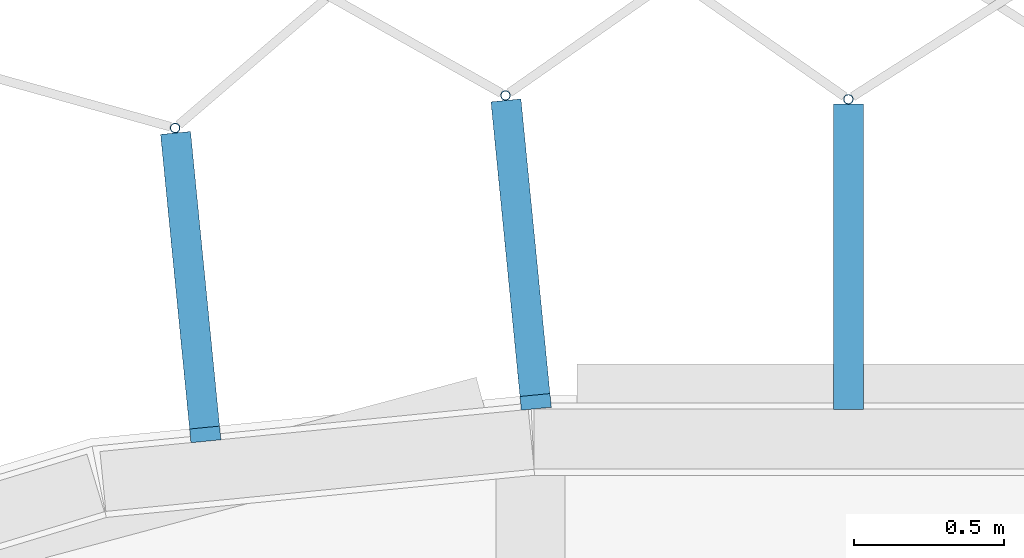
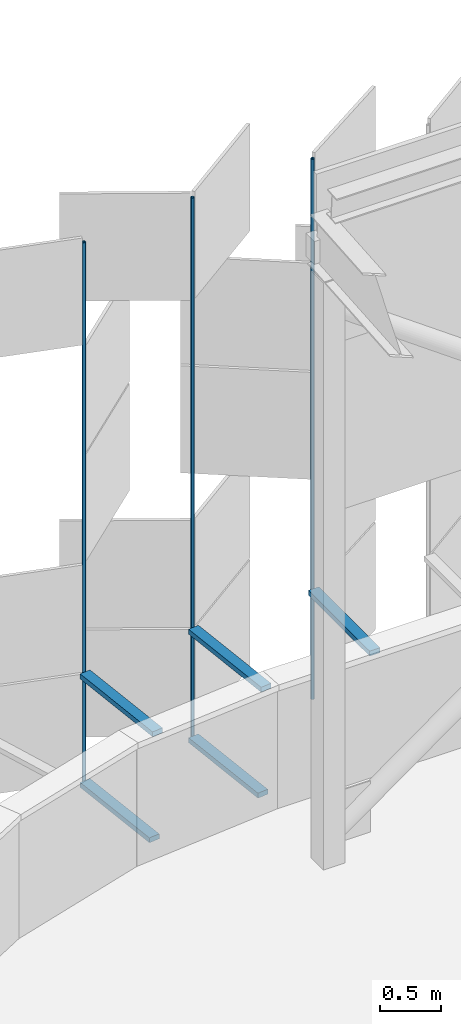
# One storey, part 333 of 483: 8 discrete accessories.
"""IFC4 building model written with IfcOpenShell, lengths in metres."""

from ifc_helpers import new_model, si_unit, direction, frame, origin, origin_2d, place, context, subcontext, project, spatial, rectangle, hollow_circle, extrude, material, material_profile, profile_set, type_object, element, save


model = new_model("IFC4")

# Units and contexts
model_context = context("Model", 3, precision=1e-05, world=origin(), true_north=direction((0.0, 1.0)))
body_context = subcontext(model_context, "Body", "Model", "MODEL_VIEW")
ifc_project = project(units=[si_unit("LENGTHUNIT", "METRE"), si_unit("AREAUNIT", "SQUARE_METRE"), si_unit("VOLUMEUNIT", "CUBIC_METRE"), si_unit("PLANEANGLEUNIT", "RADIAN"), si_unit("MASSUNIT", "GRAM", prefix="KILO")], contexts=[model_context])

# Site, building, storey
site_placement = place(None, origin())
site = spatial("IfcSite", under=ifc_project, at=site_placement, CompositionType="ELEMENT")
building_placement = place(site_placement, origin())
building = spatial("IfcBuilding", under=site, at=building_placement, Name="Parallax Yard Mobility Hub", CompositionType="ELEMENT")
storey_placement = place(building_placement, frame((0.0, 0.0, 13.199951171875)))
storey = spatial("IfcBuildingStorey", under=building, at=storey_placement, Name="L04", CompositionType="ELEMENT", Elevation=13.199951171875)

# Discrete accessories
ifc_material_1 = material(Name="Steel ASTM A36, hot-dip galvanised", Category="steel")
discrete_accessory_type_1 = type_object("IfcDiscreteAccessoryType", Name="Hinge bracket plate 100x50", PredefinedType="BRACKET", material=ifc_material_1)
discrete_accessory_1_placement = place(storey_placement, frame((31.056396484375, 142.96044921875, 1.06982421875), z_axis=(0.0, 0.0, 1.0), x_axis=(0.0, 1.0, 0.0)))
element("IfcDiscreteAccessory", 1, at=discrete_accessory_1_placement, inside=storey, type_object=discrete_accessory_type_1, Name="Hinge bracket plate bay 69.7 level L04", PredefinedType="BRACKET", context=body_context, shape_type="SweptSolid", body=[
    extrude(rectangle(XDim=1.01416015625, YDim=0.10009765625, at=origin_2d()), origin(), (0.0, 0.0, 1.0), 0.050048828125),
])
discrete_accessory_2_placement = place(storey_placement, frame((29.96630859375, 142.990478515625, -0.02490234375), z_axis=(0.0, 0.0, 1.0), x_axis=(-0.09801714033, 0.995184726672, 0.0)))
element("IfcDiscreteAccessory", 2, at=discrete_accessory_2_placement, inside=storey, type_object=discrete_accessory_type_1, Name="Hinge bracket plate bay 70.1 level L04", PredefinedType="BRACKET", context=body_context, shape_type="SweptSolid", body=[
    extrude(rectangle(XDim=0.984130859375, YDim=0.10009765625, at=origin_2d()), origin(), (0.0, 0.0, 1.0), 0.050048828125),
])
discrete_accessory_3_placement = place(storey_placement, frame((29.968505859375, 142.9677734375, 1.06982421875), z_axis=(0.0, 0.0, 1.0), x_axis=(-0.09801714033, 0.995184726672, 0.0)))
element("IfcDiscreteAccessory", 3, at=discrete_accessory_3_placement, inside=storey, type_object=discrete_accessory_type_1, Name="Hinge bracket plate bay 70.1 level L04", PredefinedType="BRACKET", context=body_context, shape_type="SweptSolid", body=[
    extrude(rectangle(XDim=1.030029296875, YDim=0.10009765625, at=origin_2d()), origin(), (0.0, 0.0, 1.0), 0.050048828125),
])
discrete_accessory_4_placement = place(storey_placement, frame((28.867919921875, 142.88232421875, -0.02490234375), z_axis=(0.0, 0.0, 1.0), x_axis=(-0.09801714033, 0.995184726672, 0.0)))
element("IfcDiscreteAccessory", 4, at=discrete_accessory_4_placement, inside=storey, type_object=discrete_accessory_type_1, Name="Hinge bracket plate bay 70.2 level L04", PredefinedType="BRACKET", context=body_context, shape_type="SweptSolid", body=[
    extrude(rectangle(XDim=0.984130859375, YDim=0.10009765625, at=origin_2d()), origin(), (0.0, 0.0, 1.0), 0.050048828125),
])
discrete_accessory_5_placement = place(storey_placement, frame((28.8701171875, 142.859619140625, 1.06982421875), z_axis=(0.0, 0.0, 1.0), x_axis=(-0.09801714033, 0.995184726672, 0.0)))
element("IfcDiscreteAccessory", 5, at=discrete_accessory_5_placement, inside=storey, type_object=discrete_accessory_type_1, Name="Hinge bracket plate bay 70.2 level L04", PredefinedType="BRACKET", context=body_context, shape_type="SweptSolid", body=[
    extrude(rectangle(XDim=1.030029296875, YDim=0.10009765625, at=origin_2d()), origin(), (0.0, 0.0, 1.0), 0.050048828125),
])
ifc_material_2 = material(Name="Steel ASTM A500 Gr C, hot-dip galvanised", Category="steel")
ifc_material_profile = material_profile(ifc_material_2, hollow_circle(Radius=0.016845703125, WallThickness=0.003173828125, at=origin_2d()), Name="CHS 33.7x3.2")
ifc_profile_set = profile_set([ifc_material_profile], Name="Steel ASTM A500 Gr C, hot-dip galvanised")
discrete_accessory_type_2 = type_object("IfcDiscreteAccessoryType", Name="Hinge post CHS 33.7x3.2", PredefinedType="BRACKET", material=ifc_profile_set)
for number, where, z_axis, x_axis, name in (
    (6, (31.056396484375, 143.48388671875, 0.0), (0.0, 0.0, 1.0), (1.0, 0.0, 0.0), "Hinge post bay 69.7 level L04"),
    (7, (29.91650390625, 143.49658203125, 0.0), (0.0, 0.0, 1.0), (1.0, 0.0, 0.0), "Hinge post bay 70.1 level L04"),
    (8, (28.818115234375, 143.388427734375, 0.0), (0.0, 0.0, 1.0), (1.0, 0.0, 0.0), "Hinge post bay 70.2 level L04"),
):
    element("IfcDiscreteAccessory", number, at=place(storey_placement, frame(where, z_axis=z_axis, x_axis=x_axis)), inside=storey, type_object=discrete_accessory_type_2, Name=name, PredefinedType="BRACKET", context=body_context, shape_type="SweptSolid", body=[
        extrude(hollow_circle(Radius=0.016845703125, WallThickness=0.003173828125, at=origin_2d()), origin(), (0.0, 0.0, 1.0), 5.449951171875),
    ])

save(model, "model.ifc")
